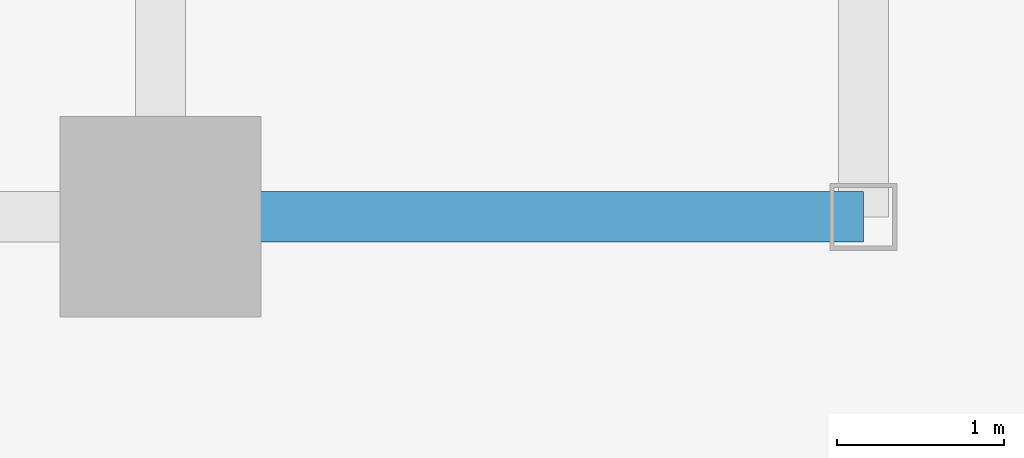
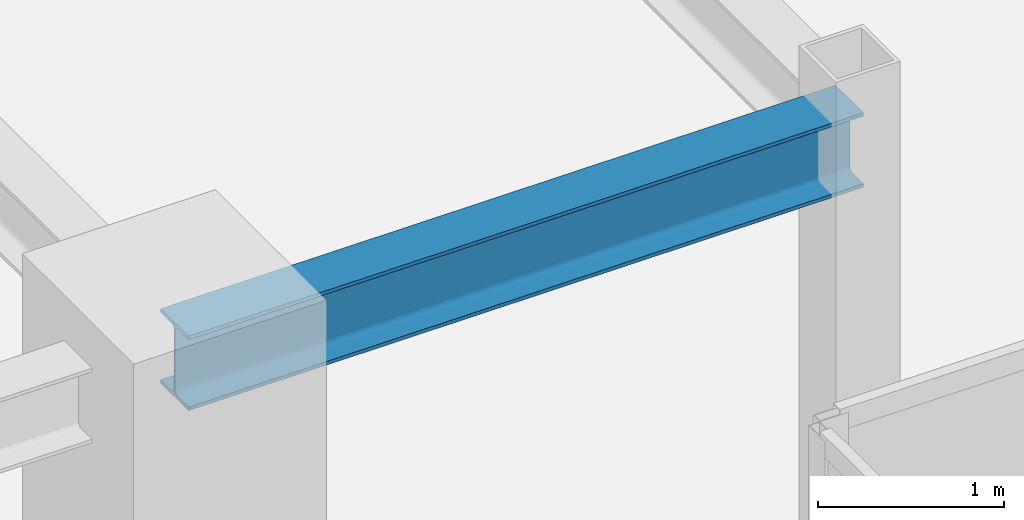
# One storey, part 7 of 25: 1 beam.
"""IFC4 building model written with IfcOpenShell, lengths in metres."""

from ifc_helpers import new_model, si_unit, direction, frame, origin, origin_2d, place, context, subcontext, project, spatial, i_section, extrude, source, transform, mapped, material, material_profile, profile_set, type_object, type_shapes, element, save


model = new_model("IFC4")

# Units and contexts
model_context = context("Model", 3, precision=1e-05, world=origin(), true_north=direction((0.0, 1.0)))
body_context = subcontext(model_context, "Body", "Model", "MODEL_VIEW")
ifc_project = project(units=[si_unit("LENGTHUNIT", "METRE"), si_unit("AREAUNIT", "SQUARE_METRE"), si_unit("VOLUMEUNIT", "CUBIC_METRE"), si_unit("PLANEANGLEUNIT", "RADIAN"), si_unit("MASSUNIT", "GRAM", prefix="KILO")], contexts=[model_context])

# Site, building, storey
site_placement = place(None, origin())
site = spatial("IfcSite", under=ifc_project, at=site_placement, CompositionType="ELEMENT")
building_placement = place(site_placement, origin())
building = spatial("IfcBuilding", under=site, at=building_placement, Name="Krantzveldt Concourse Tower", CompositionType="ELEMENT")
storey_placement = place(building_placement, frame((0.0, 0.0, 370.85009765625)))
storey = spatial("IfcBuildingStorey", under=building, at=storey_placement, Name="L91", CompositionType="ELEMENT", Elevation=370.85009765625)

# Beam
ifc_material = material(Name="Steel S355JR", Category="steel")
ifc_material_profile = material_profile(ifc_material, i_section(OverallWidth=0.300048828125, OverallDepth=0.489990234375, WebThickness=0.011962890625, FlangeThickness=0.02294921875, FilletRadius=0.027099609375, at=origin_2d()), Name="Steel S355JR", Category="steel")
ifc_profile_set = profile_set([ifc_material_profile], Name="Steel S355JR - HEA 500")
beam_type = type_object("IfcBeamType", Name="BM-B-HEA500", PredefinedType="BEAM", material=ifc_profile_set)
shared_shape = source(origin(), body_context, "Body", "SweptSolid", [
    extrude(i_section(OverallWidth=0.300048828125, OverallDepth=0.489990234375, WebThickness=0.011962890625, FlangeThickness=0.02294921875, FilletRadius=0.027099609375, at=origin_2d()), origin(), (0.0, 0.0, 1.0), 4.199951171875),
])
type_shapes(beam_type, [shared_shape])
beam_placement = place(storey_placement, frame((51.0, 15.89990234375, 3.2548828125), z_axis=(-1.0, 0.0, 0.0), x_axis=(0.0, -1.0, 0.0)))
element("IfcBeam", 1, at=beam_placement, inside=storey, type_object=beam_type, Name="L91 Crown Girder EAST-6", PredefinedType="BEAM", context=body_context, shape_type="MappedRepresentation", body=[
    mapped(shared_shape, transform((0.0, 0.0, 0.0), x_axis=(1.0, 0.0, 0.0), y_axis=(0.0, 1.0, 0.0), z_axis=(0.0, 0.0, 1.0), scale=1.0)),
])

save(model, "model.ifc")
